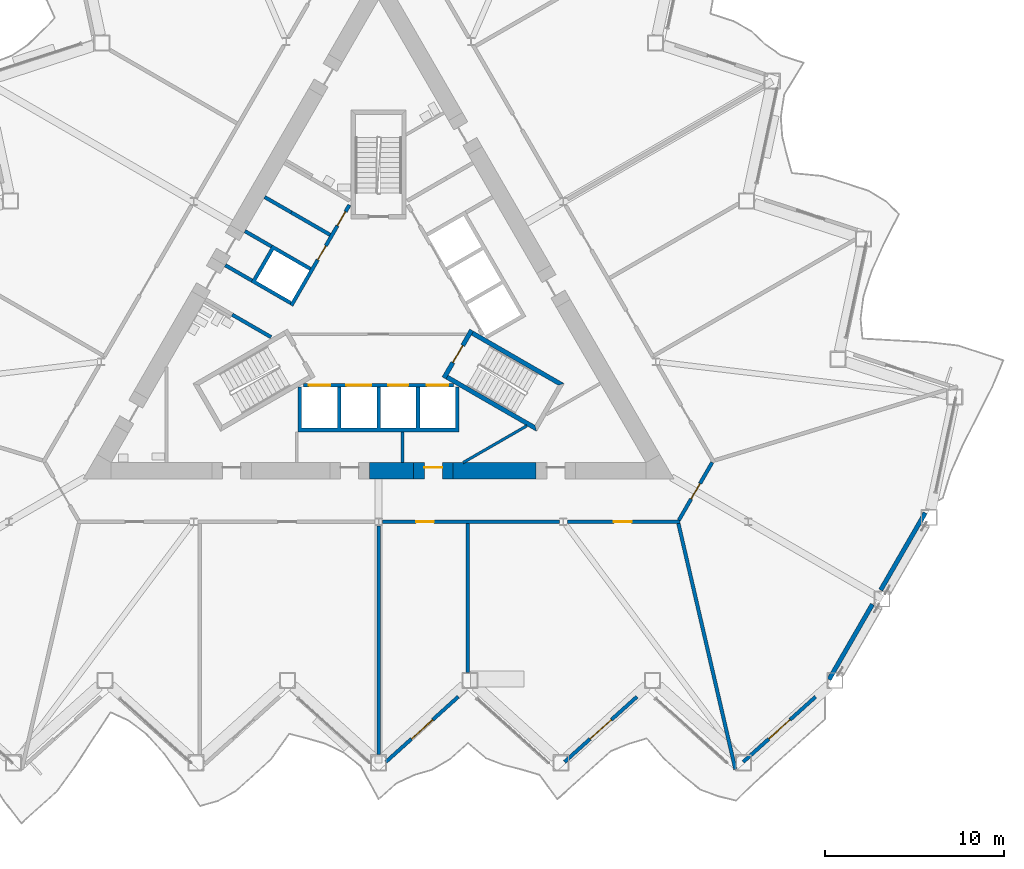
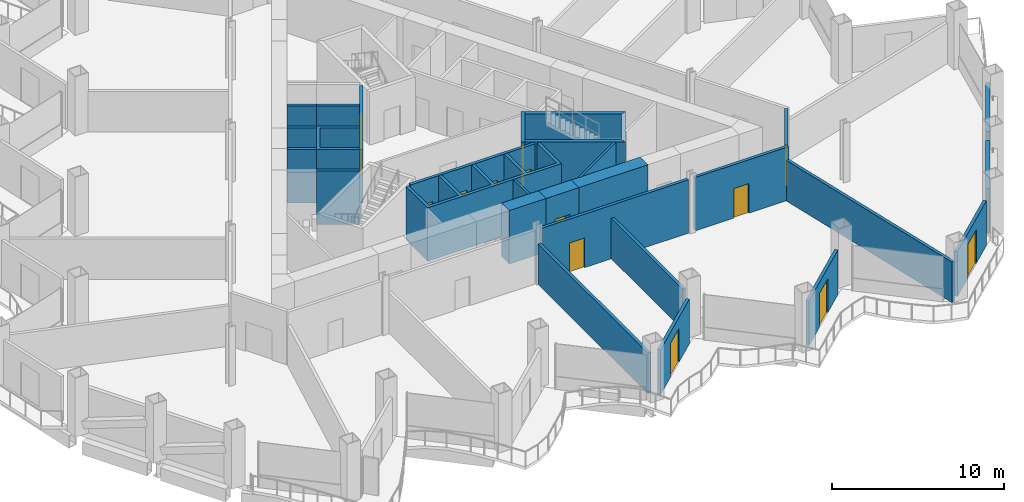
# One storey, part 11 of 21: 28 walls, 14 doors, 14 openings.
"""IFC4 building model written with IfcOpenShell, lengths in metres."""

from ifc_helpers import new_model, si_unit, direction, frame, frame_2d, origin, place, context, subcontext, project, spatial, polyline, rectangle, outline, extrude, material, layer, layer_set, type_object, element, fill, save


model = new_model("IFC4")

# Units and contexts
model_context = context("Model", 3, precision=1e-05, world=origin(), true_north=direction((0.0, 1.0)))
body_context = subcontext(model_context, "Body", "Model", "MODEL_VIEW")
ifc_project = project(units=[si_unit("LENGTHUNIT", "METRE"), si_unit("AREAUNIT", "SQUARE_METRE"), si_unit("VOLUMEUNIT", "CUBIC_METRE"), si_unit("PLANEANGLEUNIT", "RADIAN"), si_unit("MASSUNIT", "GRAM", prefix="KILO")], contexts=[model_context])

# Site, building, storey
site_placement = place(None, origin())
site = spatial("IfcSite", under=ifc_project, at=site_placement, CompositionType="ELEMENT")
building_placement = place(site_placement, origin())
building = spatial("IfcBuilding", under=site, at=building_placement, Name="Cormorant Prow Tower", CompositionType="ELEMENT")
storey_placement = place(building_placement, frame((0.0, 0.0, 99.60009765625)))
storey = spatial("IfcBuildingStorey", under=building, at=storey_placement, Name="L20", CompositionType="ELEMENT", Elevation=99.60009765625)

# Walls
ifc_material_1 = material(Name="Gypsum board partition")
ifc_layer_1 = layer(ifc_material_1, 0.14990234375)
ifc_layer_set_1 = layer_set([ifc_layer_1], Name="Gypsum board partition")
wall_type_1 = type_object("IfcWallType", Name="Core partition 150", PredefinedType="PARTITIONING", material=ifc_layer_set_1)
wall_1_placement = place(storey_placement, frame((1.33251953125, -8.626220703125, 0.0), z_axis=(0.0, 0.0, 1.0), x_axis=(0.0, 1.0, 0.0)))
element("IfcWall", 1, at=wall_1_placement, inside=storey, type_object=wall_type_1, Name="Service room partition", PredefinedType="PARTITIONING", context=body_context, shape_type="SweptSolid", body=[
    extrude(rectangle(XDim=1.72021484375, YDim=0.14990234375, at=frame_2d((0.860107421875, 0.0))), origin(), (0.0, 0.0, 1.0), 3.7998046875),
])
wall_2_placement = place(storey_placement, frame((8.284912109375, -6.566162109375, 0.0), z_axis=(0.0, 0.0, 1.0), x_axis=(-0.866039554287, -0.49997548981, 0.0)))
element("IfcWall", 2, at=wall_2_placement, inside=storey, type_object=wall_type_1, Name="Service room partition", PredefinedType="PARTITIONING", context=body_context, shape_type="SweptSolid", body=[
    extrude(rectangle(XDim=4.120361328125, YDim=0.14990234375, at=frame_2d((2.06005859375, 0.0))), origin(), (0.0, 0.0, 1.0), 3.7998046875),
])
ifc_material_2 = material(Name="Concrete 8000 psi", Category="concrete")
ifc_layer_2 = layer(ifc_material_2, 0.89990234375)
ifc_layer_set_2 = layer_set([ifc_layer_2], Name="Concrete 8000 psi")
wall_type_2 = type_object("IfcWallType", Name="Core shear wall 900", PredefinedType="SHEAR", material=ifc_layer_set_2)
wall_3_placement = place(storey_placement, frame((4.162109375, -9.076416015625, 0.0), z_axis=(0.0, 0.0, 1.0), x_axis=(1.0, 0.0, 0.0)))
element("IfcWall", 3, at=wall_3_placement, inside=storey, type_object=wall_type_2, Name="Core wall", PredefinedType="SHEAR", context=body_context, shape_type="SweptSolid", body=[
    extrude(rectangle(XDim=4.641845703125, YDim=0.89990234375, at=frame_2d((2.32080078125, 0.0))), origin(), (0.0, 0.0, 1.0), 3.7998046875),
])
wall_4_placement = place(storey_placement, frame((-0.521240234375, -9.076416015625, 0.0), z_axis=(0.0, 0.0, 1.0), x_axis=(1.0, 0.0, 0.0)))
element("IfcWall", 4, at=wall_4_placement, inside=storey, type_object=wall_type_2, Name="Core wall", PredefinedType="SHEAR", context=body_context, shape_type="SweptSolid", body=[
    extrude(rectangle(XDim=2.483154296875, YDim=0.89990234375, at=frame_2d((1.24169921875, 0.0))), origin(), (0.0, 0.0, 1.0), 3.7998046875),
])

# Wall, opening, door
wall_5_placement = place(storey_placement, frame((1.9619140625, -9.076416015625, 0.0), z_axis=(0.0, 0.0, 1.0), x_axis=(1.0, 0.0, 0.0)))
wall_5 = element("IfcWall", 5, at=wall_5_placement, inside=storey, type_object=wall_type_2, Name="Core wall door panel", PredefinedType="SHEAR", context=body_context, shape_type="SweptSolid", body=[
    extrude(rectangle(XDim=2.2001953125, YDim=0.89990234375, at=frame_2d((1.10009765625, 0.0))), origin(), (0.0, 0.0, 1.0), 3.7998046875),
])
opening_1_placement = place(wall_5_placement, frame((0.60009765625, 0.0, 0.0)))
opening_1 = element("IfcOpeningElement", 6, at=opening_1_placement, cuts=wall_5, Name="Opening L20-C17", PredefinedType="OPENING", context=body_context, shape_type="SweptSolid", body=[
    extrude(rectangle(XDim=1.0, YDim=2.10009765625, at=frame_2d((0.5, 1.050048828125))), frame((0.0, 0.4599609375, 0.0), z_axis=(0.0, -1.0, 0.0), x_axis=(1.0, 0.0, 0.0)), (0.0, 0.0, 1.0), 0.919921875),
])
ifc_material_3 = material(Name="Painted steel", Category="steel")
door_type_1 = type_object("IfcDoorType", Name="Service door 1000x2100", OperationType="NOTDEFINED", PredefinedType="DOOR", material=ifc_material_3)
door_1_placement = place(opening_1_placement, origin())
door_1 = element("IfcDoor", 7, at=door_1_placement, inside=storey, type_object=door_type_1, Name="Core door, Electrical room", OperationType="SINGLE_SWING_RIGHT", OverallHeight=2.10009765625, OverallWidth=1.0, PredefinedType="DOOR", context=body_context, shape_type="SweptSolid", body=[
    extrude(rectangle(XDim=1.0, YDim=2.10009765625, at=frame_2d((0.5, 1.050048828125))), frame((0.0, 0.205078125, 0.0), z_axis=(0.0, -1.0, 0.0), x_axis=(1.0, 0.0, 0.0)), (0.0, 0.0, 1.0), 0.050048828125),
])
fill(opening_1, door_1)

ifc_material_4 = material(Name="Gypsum board corridor wall")
ifc_layer_3 = layer(ifc_material_4, 0.199951171875)
ifc_layer_set_3 = layer_set([ifc_layer_3], Name="Gypsum board corridor wall")
wall_type_3 = type_object("IfcWallType", Name="Corridor wall 200", PredefinedType="PARTITIONING", material=ifc_layer_set_3)
wall_6_placement = place(storey_placement, frame((0.227294921875, -11.92626953125, 0.0), z_axis=(0.0, 0.0, 1.0), x_axis=(1.0, 0.0, 0.0)))
wall_6 = element("IfcWall", 8, at=wall_6_placement, inside=storey, type_object=wall_type_3, Name="Corridor wall", PredefinedType="PARTITIONING", context=body_context, shape_type="SweptSolid", body=[
    extrude(rectangle(XDim=9.873779296875, YDim=0.199951171875, at=frame_2d((4.93701171875, 0.0))), origin(), (0.0, 0.0, 1.0), 3.7998046875),
])
opening_2_placement = place(wall_6_placement, frame((1.8642578125, 0.0, 0.0)))
opening_2 = element("IfcOpeningElement", 9, at=opening_2_placement, cuts=wall_6, Name="Opening L20-F03", PredefinedType="OPENING", context=body_context, shape_type="SweptSolid", body=[
    extrude(rectangle(XDim=1.0, YDim=2.10009765625, at=frame_2d((0.5, 1.050048828125))), frame((0.0, 0.10986328125, 0.0), z_axis=(0.0, -1.0, 0.0), x_axis=(1.0, 0.0, 0.0)), (0.0, 0.0, 1.0), 0.219970703125),
])
ifc_material_5 = material(Name="Timber door leaf", Category="wood")
door_type_2 = type_object("IfcDoorType", Name="Office door 1000x2100", OperationType="NOTDEFINED", PredefinedType="DOOR", material=ifc_material_5)
door_2_placement = place(opening_2_placement, origin())
door_2 = element("IfcDoor", 10, at=door_2_placement, inside=storey, type_object=door_type_2, Name="Private office door", OperationType="SINGLE_SWING_LEFT", OverallHeight=2.10009765625, OverallWidth=1.0, PredefinedType="DOOR", context=body_context, shape_type="SweptSolid", body=[
    extrude(rectangle(XDim=1.0, YDim=2.10009765625, at=frame_2d((0.5, 1.050048828125))), frame((0.0, 0.02490234375, 0.0), z_axis=(0.0, -1.0, 0.0), x_axis=(1.0, 0.0, 0.0)), (0.0, 0.0, 1.0), 0.050048828125),
])
fill(opening_2, door_2)

wall_7_placement = place(storey_placement, frame((10.555908203125, -11.92626953125, 0.0), z_axis=(0.0, 0.0, 1.0), x_axis=(1.0, 0.0, 0.0)))
wall_7 = element("IfcWall", 11, at=wall_7_placement, inside=storey, type_object=wall_type_3, Name="Corridor wall", PredefinedType="PARTITIONING", context=body_context, shape_type="SweptSolid", body=[
    extrude(rectangle(XDim=6.27490234375, YDim=0.199951171875, at=frame_2d((3.137451171875, 0.0))), origin(), (0.0, 0.0, 1.0), 3.7998046875),
])
opening_3_placement = place(wall_7_placement, frame((2.586669921875, 0.0, 0.0)))
opening_3 = element("IfcOpeningElement", 12, at=opening_3_placement, cuts=wall_7, Name="Opening L20-F04", PredefinedType="OPENING", context=body_context, shape_type="SweptSolid", body=[
    extrude(rectangle(XDim=1.0, YDim=2.10009765625, at=frame_2d((0.5, 1.050048828125))), frame((0.0, 0.10986328125, 0.0), z_axis=(0.0, -1.0, 0.0), x_axis=(1.0, 0.0, 0.0)), (0.0, 0.0, 1.0), 0.219970703125),
])
door_3_placement = place(opening_3_placement, origin())
door_3 = element("IfcDoor", 13, at=door_3_placement, inside=storey, type_object=door_type_2, Name="Tenant reception door", OperationType="SINGLE_SWING_RIGHT", OverallHeight=2.10009765625, OverallWidth=1.0, PredefinedType="DOOR", context=body_context, shape_type="SweptSolid", body=[
    extrude(rectangle(XDim=1.0, YDim=2.10009765625, at=frame_2d((0.5, 1.050048828125))), frame((0.0, 0.02490234375, 0.0), z_axis=(0.0, -1.0, 0.0), x_axis=(1.0, 0.0, 0.0)), (0.0, 0.0, 1.0), 0.050048828125),
])
fill(opening_3, door_3)

wall_8_placement = place(storey_placement, frame((16.781005859375, -11.839599609375, 0.0), z_axis=(0.0, 0.0, 1.0), x_axis=(0.499958791762, 0.866049194065, 0.0)))
wall_8 = element("IfcWall", 14, at=wall_8_placement, inside=storey, type_object=wall_type_3, Name="Corridor wall", PredefinedType="PARTITIONING", context=body_context, shape_type="SweptSolid", body=[
    extrude(rectangle(XDim=3.725830078125, YDim=0.199951171875, at=frame_2d((1.86279296875, 0.0))), origin(), (0.0, 0.0, 1.0), 3.7998046875),
])
opening_4_placement = place(wall_8_placement, frame((1.363037109375, 0.0, 0.0)))
opening_4 = element("IfcOpeningElement", 15, at=opening_4_placement, cuts=wall_8, Name="Opening L20-F05", PredefinedType="OPENING", context=body_context, shape_type="SweptSolid", body=[
    extrude(rectangle(XDim=1.0, YDim=2.10009765625, at=frame_2d((0.5, 1.050048828125))), frame((0.0, 0.10986328125, 0.0), z_axis=(0.0, -1.0, 0.0), x_axis=(1.0, 0.0, 0.0)), (0.0, 0.0, 1.0), 0.219970703125),
])
door_4_placement = place(opening_4_placement, origin())
door_4 = element("IfcDoor", 16, at=door_4_placement, inside=storey, type_object=door_type_2, Name="Tenant suite door", OperationType="SINGLE_SWING_RIGHT", OverallHeight=2.10009765625, OverallWidth=1.0, PredefinedType="DOOR", context=body_context, shape_type="SweptSolid", body=[
    extrude(rectangle(XDim=1.0, YDim=2.10009765625, at=frame_2d((0.5, 1.050048828125))), frame((0.0, 0.02490234375, 0.0), z_axis=(0.0, -1.0, 0.0), x_axis=(1.0, 0.0, 0.0)), (0.0, 0.0, 1.0), 0.050048828125),
])
fill(opening_4, door_4)

# Walls
ifc_material_6 = material(Name="Gypsum board demising wall")
ifc_layer_4 = layer(ifc_material_6, 0.199951171875)
ifc_layer_set_4 = layer_set([ifc_layer_4], Name="Gypsum board demising wall")
wall_type_4 = type_object("IfcWallType", Name="Demising wall 200", PredefinedType="PARTITIONING", material=ifc_layer_set_4)
wall_9_placement = place(storey_placement, frame((16.75341796875, -12.023681640625, 0.0), z_axis=(0.0, 0.0, 1.0), x_axis=(0.225854066841, -0.974161147086, 0.0)))
element("IfcWall", 17, at=wall_9_placement, inside=storey, type_object=wall_type_4, Name="Demising wall", PredefinedType="PARTITIONING", context=body_context, shape_type="SweptSolid", body=[
    extrude(rectangle(XDim=14.107666015625, YDim=0.199951171875, at=frame_2d((7.0537109375, 0.0))), origin(), (0.0, 0.0, 1.0), 2.88525390625),
])
wall_10_placement = place(storey_placement, frame((0.0, -24.939208984375, 0.0), z_axis=(0.0, 0.0, 1.0), x_axis=(0.0, 1.0, 0.0)))
element("IfcWall", 18, at=wall_10_placement, inside=storey, type_object=wall_type_4, Name="Demising wall", PredefinedType="PARTITIONING", context=body_context, shape_type="SweptSolid", body=[
    extrude(rectangle(XDim=12.785400390625, YDim=0.199951171875, at=frame_2d((6.392578125, 0.0))), origin(), (0.0, 0.0, 1.0), 2.88525390625),
])
wall_11_placement = place(storey_placement, frame((4.99267578125, -20.34716796875, 0.0), z_axis=(0.0, 0.0, 1.0), x_axis=(0.0, 1.0, 0.0)))
element("IfcWall", 19, at=wall_11_placement, inside=storey, type_object=wall_type_4, Name="Demising wall", PredefinedType="PARTITIONING", context=body_context, shape_type="SweptSolid", body=[
    extrude(rectangle(XDim=8.32080078125, YDim=0.199951171875, at=frame_2d((4.160400390625, 0.0))), origin(), (0.0, 0.0, 1.0), 2.88525390625),
])

# Wall, openings, doors
ifc_material_7 = material(Name="Concrete 5000 psi", Category="concrete")
ifc_layer_5 = layer(ifc_material_7, 0.199951171875)
ifc_layer_set_5 = layer_set([ifc_layer_5], Name="Concrete 5000 psi")
wall_type_5 = type_object("IfcWallType", Name="Lift lobby wall 200", PredefinedType="SOLIDWALL", material=ifc_layer_set_5)
wall_12_placement = place(storey_placement, frame((-4.1865234375, -4.300048828125, 0.0), z_axis=(0.0, 0.0, 1.0), x_axis=(1.0, 0.0, 0.0)))
wall_12 = element("IfcWall", 20, at=wall_12_placement, inside=storey, type_object=wall_type_5, Name="Lift lobby wall, S block", PredefinedType="SOLIDWALL", context=body_context, shape_type="SweptSolid", body=[
    extrude(rectangle(XDim=8.373046875, YDim=0.199951171875, at=frame_2d((4.1865234375, 0.0))), origin(), (0.0, 0.0, 1.0), 3.7998046875),
])
opening_5_placement = place(wall_12_placement, frame((0.28662109375, 0.0, 0.0)))
opening_5 = element("IfcOpeningElement", 21, at=opening_5_placement, cuts=wall_12, Name="Opening L20-C01", PredefinedType="OPENING", context=body_context, shape_type="SweptSolid", body=[
    extrude(rectangle(XDim=1.199951171875, YDim=2.10009765625, at=frame_2d((0.60009765625, 1.050048828125))), frame((0.0, 0.10986328125, 0.0), z_axis=(0.0, -1.0, 0.0), x_axis=(1.0, 0.0, 0.0)), (0.0, 0.0, 1.0), 0.219970703125),
])
opening_6_placement = place(wall_12_placement, frame((2.38671875, 0.0, 0.0)))
opening_6 = element("IfcOpeningElement", 22, at=opening_6_placement, cuts=wall_12, Name="Opening L20-C02", PredefinedType="OPENING", context=body_context, shape_type="SweptSolid", body=[
    extrude(rectangle(XDim=1.39990234375, YDim=2.10009765625, at=frame_2d((0.699951171875, 1.050048828125))), frame((0.0, 0.10986328125, 0.0), z_axis=(0.0, -1.0, 0.0), x_axis=(1.0, 0.0, 0.0)), (0.0, 0.0, 1.0), 0.219970703125),
])
opening_7_placement = place(wall_12_placement, frame((4.736572265625, 0.0, 0.0)))
opening_7 = element("IfcOpeningElement", 23, at=opening_7_placement, cuts=wall_12, Name="Opening L20-C03", PredefinedType="OPENING", context=body_context, shape_type="SweptSolid", body=[
    extrude(rectangle(XDim=1.10009765625, YDim=2.10009765625, at=frame_2d((0.550048828125, 1.050048828125))), frame((0.0, 0.10986328125, 0.0), z_axis=(0.0, -1.0, 0.0), x_axis=(1.0, 0.0, 0.0)), (0.0, 0.0, 1.0), 0.219970703125),
])
opening_8_placement = place(wall_12_placement, frame((6.88671875, 0.0, 0.0)))
opening_8 = element("IfcOpeningElement", 24, at=opening_8_placement, cuts=wall_12, Name="Opening L20-C04", PredefinedType="OPENING", context=body_context, shape_type="SweptSolid", body=[
    extrude(rectangle(XDim=1.199951171875, YDim=2.10009765625, at=frame_2d((0.60009765625, 1.050048828125))), frame((0.0, 0.10986328125, 0.0), z_axis=(0.0, -1.0, 0.0), x_axis=(1.0, 0.0, 0.0)), (0.0, 0.0, 1.0), 0.219970703125),
])
ifc_material_8 = material(Name="Painted steel", Category="steel")
door_type_3 = type_object("IfcDoorType", Name="Firefighting lift landing door 1200x2100", OperationType="SLIDING_TO_LEFT", PredefinedType="DOOR", material=ifc_material_8)
door_5_placement = place(opening_5_placement, origin())
door_5 = element("IfcDoor", 25, at=door_5_placement, inside=storey, type_object=door_type_3, Name="Landing door FL1", OperationType="SLIDING_TO_LEFT", OverallHeight=2.10009765625, OverallWidth=1.199951171875, PredefinedType="DOOR", context=body_context, shape_type="SweptSolid", body=[
    extrude(rectangle(XDim=1.199951171875, YDim=2.10009765625, at=frame_2d((0.60009765625, 1.050048828125))), frame((0.0, 0.02490234375, 0.0), z_axis=(0.0, -1.0, 0.0), x_axis=(1.0, 0.0, 0.0)), (0.0, 0.0, 1.0), 0.050048828125),
])
fill(opening_5, door_5)
door_6_placement = place(opening_8_placement, origin())
door_6 = element("IfcDoor", 26, at=door_6_placement, inside=storey, type_object=door_type_3, Name="Landing door FL2", OperationType="SLIDING_TO_LEFT", OverallHeight=2.10009765625, OverallWidth=1.199951171875, PredefinedType="DOOR", context=body_context, shape_type="SweptSolid", body=[
    extrude(rectangle(XDim=1.199951171875, YDim=2.10009765625, at=frame_2d((0.60009765625, 1.050048828125))), frame((0.0, 0.02490234375, 0.0), z_axis=(0.0, -1.0, 0.0), x_axis=(1.0, 0.0, 0.0)), (0.0, 0.0, 1.0), 0.050048828125),
])
fill(opening_8, door_6)
ifc_material_9 = material(Name="Painted steel", Category="steel")
door_type_4 = type_object("IfcDoorType", Name="Lift landing door 1100x2100", OperationType="SLIDING_TO_LEFT", PredefinedType="DOOR", material=ifc_material_9)
door_7_placement = place(opening_7_placement, origin())
door_7 = element("IfcDoor", 27, at=door_7_placement, inside=storey, type_object=door_type_4, Name="Landing door LR1", OperationType="SLIDING_TO_LEFT", OverallHeight=2.10009765625, OverallWidth=1.10009765625, PredefinedType="DOOR", context=body_context, shape_type="SweptSolid", body=[
    extrude(rectangle(XDim=1.10009765625, YDim=2.10009765625, at=frame_2d((0.550048828125, 1.050048828125))), frame((0.0, 0.02490234375, 0.0), z_axis=(0.0, -1.0, 0.0), x_axis=(1.0, 0.0, 0.0)), (0.0, 0.0, 1.0), 0.050048828125),
])
fill(opening_7, door_7)
ifc_material_10 = material(Name="Painted steel", Category="steel")
door_type_5 = type_object("IfcDoorType", Name="Service lift landing door 1400x2100", OperationType="SLIDING_TO_LEFT", PredefinedType="DOOR", material=ifc_material_10)
door_8_placement = place(opening_6_placement, origin())
door_8 = element("IfcDoor", 28, at=door_8_placement, inside=storey, type_object=door_type_5, Name="Landing door SL1", OperationType="SLIDING_TO_LEFT", OverallHeight=2.10009765625, OverallWidth=1.39990234375, PredefinedType="DOOR", context=body_context, shape_type="SweptSolid", body=[
    extrude(rectangle(XDim=1.39990234375, YDim=2.10009765625, at=frame_2d((0.699951171875, 1.050048828125))), frame((0.0, 0.02490234375, 0.0), z_axis=(0.0, -1.0, 0.0), x_axis=(1.0, 0.0, 0.0)), (0.0, 0.0, 1.0), 0.050048828125),
])
fill(opening_6, door_8)

wall_13_placement = place(storey_placement, frame((-1.630615234375, 5.775634765625, 0.0), z_axis=(0.0, 0.0, 1.0), x_axis=(-0.499992876559, -0.866029516466, 0.0)))
wall_13 = element("IfcWall", 29, at=wall_13_placement, inside=storey, type_object=wall_type_5, Name="Lift lobby wall, WNW block", PredefinedType="SOLIDWALL", context=body_context, shape_type="SweptSolid", body=[
    extrude(rectangle(XDim=6.486328125, YDim=0.199951171875, at=frame_2d((3.2431640625, 0.0))), origin(), (0.0, 0.0, 1.0), 3.7998046875),
])
opening_9_placement = place(wall_13_placement, frame((0.4365234375, 0.0, 0.0)))
opening_9 = element("IfcOpeningElement", 30, at=opening_9_placement, cuts=wall_13, Name="Opening L20-C09", PredefinedType="OPENING", context=body_context, shape_type="SweptSolid", body=[
    extrude(rectangle(XDim=0.89990234375, YDim=2.10009765625, at=frame_2d((0.449951171875, 1.050048828125))), frame((0.0, 0.10986328125, 0.0), z_axis=(0.0, -1.0, 0.0), x_axis=(1.0, 0.0, 0.0)), (0.0, 0.0, 1.0), 0.219970703125),
])
opening_10_placement = place(wall_13_placement, frame((2.63671875, 0.0, 0.0)))
opening_10 = element("IfcOpeningElement", 31, at=opening_10_placement, cuts=wall_13, Name="Opening L20-C10", PredefinedType="OPENING", context=body_context, shape_type="SweptSolid", body=[
    extrude(rectangle(XDim=0.89990234375, YDim=2.10009765625, at=frame_2d((0.449951171875, 1.050048828125))), frame((0.0, 0.10986328125, 0.0), z_axis=(0.0, -1.0, 0.0), x_axis=(1.0, 0.0, 0.0)), (0.0, 0.0, 1.0), 0.219970703125),
])
ifc_material_11 = material(Name="Painted steel", Category="steel")
door_type_6 = type_object("IfcDoorType", Name="Service door 900x2100", OperationType="NOTDEFINED", PredefinedType="DOOR", material=ifc_material_11)
door_9_placement = place(opening_9_placement, origin())
door_9 = element("IfcDoor", 32, at=door_9_placement, inside=storey, type_object=door_type_6, Name="Service door, Telecom room", OperationType="SINGLE_SWING_LEFT", OverallHeight=2.10009765625, OverallWidth=0.89990234375, PredefinedType="DOOR", context=body_context, shape_type="SweptSolid", body=[
    extrude(rectangle(XDim=0.89990234375, YDim=2.10009765625, at=frame_2d((0.449951171875, 1.050048828125))), frame((0.0, 0.02490234375, 0.0), z_axis=(0.0, -1.0, 0.0), x_axis=(1.0, 0.0, 0.0)), (0.0, 0.0, 1.0), 0.050048828125),
])
fill(opening_9, door_9)
door_10_placement = place(opening_10_placement, origin())
door_10 = element("IfcDoor", 33, at=door_10_placement, inside=storey, type_object=door_type_6, Name="Service door, Housekeeping store", OperationType="SINGLE_SWING_LEFT", OverallHeight=2.10009765625, OverallWidth=0.89990234375, PredefinedType="DOOR", context=body_context, shape_type="SweptSolid", body=[
    extrude(rectangle(XDim=0.89990234375, YDim=2.10009765625, at=frame_2d((0.449951171875, 1.050048828125))), frame((0.0, 0.02490234375, 0.0), z_axis=(0.0, -1.0, 0.0), x_axis=(1.0, 0.0, 0.0)), (0.0, 0.0, 1.0), 0.050048828125),
])
fill(opening_10, door_10)

# Walls
ifc_material_12 = material(Name="Concrete 8000 psi", Category="concrete")
ifc_layer_6 = layer(ifc_material_12, 0.199951171875)
ifc_layer_set_6 = layer_set([ifc_layer_6], Name="Concrete 8000 psi")
wall_type_6 = type_object("IfcWallType", Name="Lift shaft wall 200", PredefinedType="SHEAR", material=ifc_layer_set_6)
wall_14_placement = place(storey_placement, origin())
element("IfcWall", 34, at=wall_14_placement, inside=storey, type_object=wall_type_6, Name="Lift shaft walls, S block", PredefinedType="SHEAR", context=body_context, shape_type="SweptSolid", body=[
    extrude(outline(polyline([(4.5, -4.39990234375), (4.5, -6.906005859375), (-4.5, -6.906005859375), (-4.5, -4.39990234375), (-4.300048828125, -4.39990234375), (-4.300048828125, -6.699951171875), (-2.300048828125, -6.699951171875), (-2.300048828125, -4.39990234375), (-2.10009765625, -4.39990234375), (-2.10009765625, -6.699951171875), (-0.10009765625, -6.699951171875), (-0.10009765625, -4.39990234375), (0.10009765625, -4.39990234375), (0.10009765625, -6.699951171875), (2.10009765625, -6.699951171875), (2.10009765625, -4.39990234375), (2.300048828125, -4.39990234375), (2.300048828125, -6.699951171875), (4.300048828125, -6.699951171875), (4.300048828125, -4.39990234375), (4.5, -4.39990234375)])), origin(), (0.0, 0.0, 1.0), 3.7998046875),
])
wall_15_placement = place(storey_placement, origin())
element("IfcWall", 35, at=wall_15_placement, inside=storey, type_object=wall_type_6, Name="Lift shaft walls, WNW block", PredefinedType="SHEAR", context=body_context, shape_type="SweptSolid", body=[
    extrude(outline(polyline([(-6.060546875, -1.697021484375), (-8.230712890625, -0.444091796875), (-8.130859375, -0.27099609375), (-5.96044921875, -1.52392578125), (-6.060546875, -1.697021484375)])), origin(), (0.0, 0.0, 1.0), 3.7998046875),
])
wall_16_placement = place(storey_placement, origin())
element("IfcWall", 36, at=wall_16_placement, inside=storey, type_object=wall_type_6, Name="Lift shaft walls, WNW block", PredefinedType="SHEAR", context=body_context, shape_type="SweptSolid", body=[
    extrude(outline(polyline([(-4.96044921875, 0.2080078125), (-7.130859375, 1.461181640625), (-5.930908203125, 3.53955078125), (-3.760498046875, 2.28662109375), (-3.860595703125, 2.11328125), (-5.852294921875, 3.263427734375), (-6.852294921875, 1.53125), (-4.860595703125, 0.38134765625), (-4.96044921875, 0.2080078125)])), origin(), (0.0, 0.0, 1.0), 3.7998046875),
])
wall_17_placement = place(storey_placement, origin())
element("IfcWall", 37, at=wall_17_placement, inside=storey, type_object=wall_type_6, Name="Lift shaft walls, WNW block", PredefinedType="SHEAR", context=body_context, shape_type="SweptSolid", body=[
    extrude(outline(polyline([(-2.760498046875, 4.018798828125), (-4.930908203125, 5.271728515625), (-4.830810546875, 5.44482421875), (-2.660400390625, 4.19189453125), (-2.760498046875, 4.018798828125)])), origin(), (0.0, 0.0, 1.0), 3.7998046875),
])
wall_18_placement = place(storey_placement, frame((-4.880859375, 5.3583984375, 0.0), z_axis=(0.0, 0.0, 1.0), x_axis=(-0.866024871741, 0.500000921525, 0.0)))
element("IfcWall", 38, at=wall_18_placement, inside=storey, type_object=wall_type_6, Name="Store side wall", PredefinedType="SHEAR", context=body_context, shape_type="SweptSolid", body=[
    extrude(rectangle(XDim=1.72021484375, YDim=0.199951171875, at=frame_2d((0.860107421875, 0.0))), origin(), (0.0, 0.0, 1.0), 3.7998046875),
])
wall_19_placement = place(storey_placement, frame((-5.980712890625, 3.452880859375, 0.0), z_axis=(0.0, 0.0, 1.0), x_axis=(-0.866060346521, 0.499939472521, 0.0)))
element("IfcWall", 39, at=wall_19_placement, inside=storey, type_object=wall_type_6, Name="Store side wall", PredefinedType="SHEAR", context=body_context, shape_type="SweptSolid", body=[
    extrude(rectangle(XDim=1.720458984375, YDim=0.199951171875, at=frame_2d((0.8603515625, 0.0))), origin(), (0.0, 0.0, 1.0), 3.7998046875),
])
wall_20_placement = place(storey_placement, frame((-7.080810546875, 1.547607421875, 0.0), z_axis=(0.0, 0.0, 1.0), x_axis=(-0.865963414263, 0.500107353632, 0.0)))
element("IfcWall", 40, at=wall_20_placement, inside=storey, type_object=wall_type_6, Name="Lobby passage wall", PredefinedType="SHEAR", context=body_context, shape_type="SweptSolid", body=[
    extrude(rectangle(XDim=1.72021484375, YDim=0.199951171875, at=frame_2d((0.860107421875, 0.0))), origin(), (0.0, 0.0, 1.0), 3.7998046875),
])
ifc_material_13 = material(Name="Concrete 8000 psi", Category="concrete")
ifc_layer_7 = layer(ifc_material_13, 0.25)
ifc_layer_set_7 = layer_set([ifc_layer_7], Name="Concrete 8000 psi")
wall_type_7 = type_object("IfcWallType", Name="Stair wall 250", PredefinedType="SHEAR", material=ifc_layer_set_7)
wall_21_placement = place(storey_placement, origin())
element("IfcWall", 41, at=wall_21_placement, inside=storey, type_object=wall_type_7, Name="Stair ST2 enclosure wall (flank)", PredefinedType="SHEAR", context=body_context, shape_type="SweptSolid", body=[
    extrude(outline(polyline([(3.76318359375, -3.95556640625), (8.82958984375, -6.880615234375), (8.738037109375, -6.5390625), (3.88818359375, -3.739013671875), (3.76318359375, -3.95556640625)])), origin(), (0.0, 0.0, 1.0), 3.7998046875),
])
wall_22_placement = place(storey_placement, origin())
element("IfcWall", 42, at=wall_22_placement, inside=storey, type_object=wall_type_7, Name="Stair ST2 enclosure wall (flank)", PredefinedType="SHEAR", context=body_context, shape_type="SweptSolid", body=[
    extrude(outline(polyline([(10.031982421875, -4.2978515625), (10.37353515625, -4.206298828125), (5.30712890625, -1.28125), (5.18212890625, -1.497802734375), (10.031982421875, -4.2978515625)])), origin(), (0.0, 0.0, 1.0), 3.7998046875),
])

# Wall, opening, door
wall_23_placement = place(storey_placement, frame((3.655029296875, -3.89306640625, 0.0), z_axis=(0.0, 0.0, 1.0), x_axis=(0.499982516597, 0.866035497597, 0.0)))
wall_23 = element("IfcWall", 43, at=wall_23_placement, inside=storey, type_object=wall_type_7, Name="Stair ST2 door wall", PredefinedType="SHEAR", context=body_context, shape_type="SweptSolid", body=[
    extrude(rectangle(XDim=3.087890625, YDim=0.25, at=frame_2d((1.5439453125, 0.0))), origin(), (0.0, 0.0, 1.0), 3.7998046875),
])
opening_11_placement = place(wall_23_placement, frame((0.993896484375, 0.0, 0.0)))
opening_11 = element("IfcOpeningElement", 44, at=opening_11_placement, cuts=wall_23, Name="Opening L20-C13", PredefinedType="OPENING", context=body_context, shape_type="SweptSolid", body=[
    extrude(rectangle(XDim=1.10009765625, YDim=2.10009765625, at=frame_2d((0.550048828125, 1.050048828125))), frame((0.0, 0.135009765625, 0.0), z_axis=(0.0, -1.0, 0.0), x_axis=(1.0, 0.0, 0.0)), (0.0, 0.0, 1.0), 0.27001953125),
])
ifc_material_14 = material(Name="Painted steel", Category="steel")
door_type_7 = type_object("IfcDoorType", Name="Stair door 1100x2100", OperationType="NOTDEFINED", PredefinedType="DOOR", material=ifc_material_14)
door_11_placement = place(opening_11_placement, origin())
door_11 = element("IfcDoor", 45, at=door_11_placement, inside=storey, type_object=door_type_7, Name="Stair ST2 door", OperationType="SINGLE_SWING_RIGHT", OverallHeight=2.10009765625, OverallWidth=1.10009765625, PredefinedType="DOOR", context=body_context, shape_type="SweptSolid", body=[
    extrude(rectangle(XDim=1.10009765625, YDim=2.10009765625, at=frame_2d((0.550048828125, 1.050048828125))), frame((0.0, 0.02490234375, 0.0), z_axis=(0.0, -1.0, 0.0), x_axis=(1.0, 0.0, 0.0)), (0.0, 0.0, 1.0), 0.050048828125),
])
fill(opening_11, door_11)

# Walls
ifc_material_15 = material(Name="Terracotta", Category="masonry")
ifc_layer_8 = layer(ifc_material_15, 0.25)
ifc_layer_set_8 = layer_set([ifc_layer_8], Name="Terracotta")
wall_type_8 = type_object("IfcWallType", Name="Terracotta bay wall 250", PredefinedType="SOLIDWALL", material=ifc_layer_set_8)
wall_24_placement = place(storey_placement, frame((25.173095703125, -20.74169921875, 0.0), z_axis=(0.0, 0.0, 1.0), x_axis=(0.499994084299, 0.866028819189, 0.0)))
element("IfcWall", 46, at=wall_24_placement, inside=storey, type_object=wall_type_8, Name="Terracotta bay wall ESE00", PredefinedType="SOLIDWALL", context=body_context, shape_type="SweptSolid", body=[
    extrude(rectangle(XDim=4.849609375, YDim=0.25, at=frame_2d((2.4248046875, 0.0))), origin(), (0.0, 0.0, 1.0), 3.188720703125),
])
wall_25_placement = place(storey_placement, frame((28.058837890625, -15.743408203125, 0.0), z_axis=(0.0, 0.0, 1.0), x_axis=(0.499992577793, 0.866029688955, 0.0)))
element("IfcWall", 47, at=wall_25_placement, inside=storey, type_object=wall_type_8, Name="Terracotta bay wall ESE01", PredefinedType="SOLIDWALL", context=body_context, shape_type="SweptSolid", body=[
    extrude(rectangle(XDim=4.98095703125, YDim=0.25, at=frame_2d((2.490478515625, 0.0))), origin(), (0.0, 0.0, 1.0), 3.188720703125),
])

# Wall, opening, door
ifc_material_16 = material(Name="Terracotta", Category="masonry")
ifc_layer_9 = layer(ifc_material_16, 0.199951171875)
ifc_layer_set_9 = layer_set([ifc_layer_9], Name="Terracotta")
wall_type_9 = type_object("IfcWallType", Name="Terracotta jamb wall 200", PredefinedType="SOLIDWALL", material=ifc_layer_set_9)
wall_26_placement = place(storey_placement, frame((0.40576171875, -25.3505859375, 0.0), z_axis=(0.0, 0.0, 1.0), x_axis=(0.74314255731, 0.669133125405, 0.0)))
wall_26 = element("IfcWall", 48, at=wall_26_placement, inside=storey, type_object=wall_type_9, Name="Terracotta jamb wall S05", PredefinedType="SOLIDWALL", context=body_context, shape_type="SweptSolid", body=[
    extrude(rectangle(XDim=5.4462890625, YDim=0.199951171875, at=frame_2d((2.72314453125, 0.0))), origin(), (0.0, 0.0, 1.0), 3.188720703125),
])
opening_12_placement = place(wall_26_placement, frame((1.923095703125, 0.0, 0.0)))
opening_12 = element("IfcOpeningElement", 49, at=opening_12_placement, cuts=wall_26, Name="Opening ED20.03", PredefinedType="OPENING", context=body_context, shape_type="SweptSolid", body=[
    extrude(rectangle(XDim=1.60009765625, YDim=2.39990234375, at=frame_2d((0.800048828125, 1.199951171875))), frame((0.0, 0.10986328125, 0.0), z_axis=(0.0, -1.0, 0.0), x_axis=(1.0, 0.0, 0.0)), (0.0, 0.0, 1.0), 0.219970703125),
])
ifc_material_17 = material(Name="Aluminium 6063-T6", Category="aluminium")
door_type_8 = type_object("IfcDoorType", Name="Balcony door 1600x2400", OperationType="DOUBLE_DOOR_SINGLE_SWING", PredefinedType="DOOR", material=ifc_material_17)
door_12_placement = place(opening_12_placement, origin())
door_12 = element("IfcDoor", 50, at=door_12_placement, inside=storey, type_object=door_type_8, Name="Balcony door S05 ED20.03", OperationType="DOUBLE_DOOR_SINGLE_SWING", OverallHeight=2.39990234375, OverallWidth=1.60009765625, PredefinedType="DOOR", context=body_context, shape_type="SweptSolid", body=[
    extrude(rectangle(XDim=1.60009765625, YDim=2.39990234375, at=frame_2d((0.800048828125, 1.199951171875))), frame((0.0, 0.02490234375, 0.0), z_axis=(0.0, -1.0, 0.0), x_axis=(1.0, 0.0, 0.0)), (0.0, 0.0, 1.0), 0.050048828125),
])
fill(opening_12, door_12)

wall_27_placement = place(storey_placement, frame((10.39111328125, -25.3505859375, 0.0), z_axis=(0.0, 0.0, 1.0), x_axis=(0.74314255731, 0.669133125405, 0.0)))
wall_27 = element("IfcWall", 51, at=wall_27_placement, inside=storey, type_object=wall_type_9, Name="Terracotta jamb wall S07", PredefinedType="SOLIDWALL", context=body_context, shape_type="SweptSolid", body=[
    extrude(rectangle(XDim=5.4462890625, YDim=0.199951171875, at=frame_2d((2.72314453125, 0.0))), origin(), (0.0, 0.0, 1.0), 3.188720703125),
])
opening_13_placement = place(wall_27_placement, frame((1.923095703125, 0.0, 0.0)))
opening_13 = element("IfcOpeningElement", 52, at=opening_13_placement, cuts=wall_27, Name="Opening ED20.04", PredefinedType="OPENING", context=body_context, shape_type="SweptSolid", body=[
    extrude(rectangle(XDim=1.60009765625, YDim=2.39990234375, at=frame_2d((0.800048828125, 1.199951171875))), frame((0.0, 0.10986328125, 0.0), z_axis=(0.0, -1.0, 0.0), x_axis=(1.0, 0.0, 0.0)), (0.0, 0.0, 1.0), 0.219970703125),
])
door_13_placement = place(opening_13_placement, origin())
door_13 = element("IfcDoor", 53, at=door_13_placement, inside=storey, type_object=door_type_8, Name="Balcony door S07 ED20.04", OperationType="DOUBLE_DOOR_SINGLE_SWING", OverallHeight=2.39990234375, OverallWidth=1.60009765625, PredefinedType="DOOR", context=body_context, shape_type="SweptSolid", body=[
    extrude(rectangle(XDim=1.60009765625, YDim=2.39990234375, at=frame_2d((0.800048828125, 1.199951171875))), frame((0.0, 0.02490234375, 0.0), z_axis=(0.0, -1.0, 0.0), x_axis=(1.0, 0.0, 0.0)), (0.0, 0.0, 1.0), 0.050048828125),
])
fill(opening_13, door_13)

wall_28_placement = place(storey_placement, frame((20.37646484375, -25.3505859375, 0.0), z_axis=(0.0, 0.0, 1.0), x_axis=(0.74314255731, 0.669133125405, 0.0)))
wall_28 = element("IfcWall", 54, at=wall_28_placement, inside=storey, type_object=wall_type_9, Name="Terracotta jamb wall S09", PredefinedType="SOLIDWALL", context=body_context, shape_type="SweptSolid", body=[
    extrude(rectangle(XDim=5.4462890625, YDim=0.199951171875, at=frame_2d((2.72314453125, 0.0))), origin(), (0.0, 0.0, 1.0), 3.188720703125),
])
opening_14_placement = place(wall_28_placement, frame((1.923095703125, 0.0, 0.0)))
opening_14 = element("IfcOpeningElement", 55, at=opening_14_placement, cuts=wall_28, Name="Opening ED20.05", PredefinedType="OPENING", context=body_context, shape_type="SweptSolid", body=[
    extrude(rectangle(XDim=1.60009765625, YDim=2.39990234375, at=frame_2d((0.800048828125, 1.199951171875))), frame((0.0, 0.10986328125, 0.0), z_axis=(0.0, -1.0, 0.0), x_axis=(1.0, 0.0, 0.0)), (0.0, 0.0, 1.0), 0.219970703125),
])
door_14_placement = place(opening_14_placement, origin())
door_14 = element("IfcDoor", 56, at=door_14_placement, inside=storey, type_object=door_type_8, Name="Balcony door S09 ED20.05", OperationType="DOUBLE_DOOR_SINGLE_SWING", OverallHeight=2.39990234375, OverallWidth=1.60009765625, PredefinedType="DOOR", context=body_context, shape_type="SweptSolid", body=[
    extrude(rectangle(XDim=1.60009765625, YDim=2.39990234375, at=frame_2d((0.800048828125, 1.199951171875))), frame((0.0, 0.02490234375, 0.0), z_axis=(0.0, -1.0, 0.0), x_axis=(1.0, 0.0, 0.0)), (0.0, 0.0, 1.0), 0.050048828125),
])
fill(opening_14, door_14)

save(model, "model.ifc")
